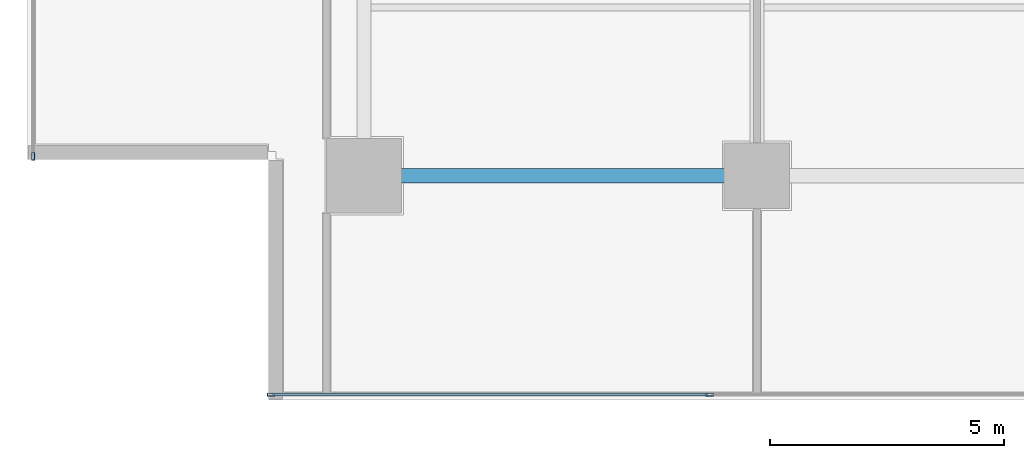
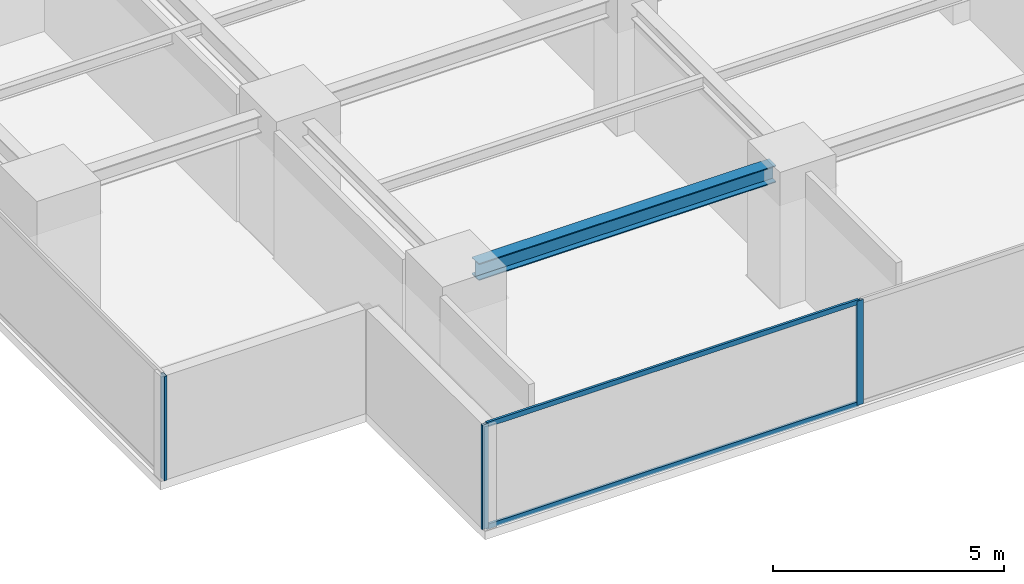
# One storey, part 2 of 28: 5 members, 1 beam, 2 elements without a shape of their own.
"""IFC4 building model written with IfcOpenShell, lengths in metres."""

from ifc_helpers import new_model, si_unit, direction, frame, origin, origin_2d, place, context, subcontext, project, spatial, hollow_rectangle, i_section, extrude, source, transform, mapped, material, layer, layer_set, material_profile, profile_set, type_object, element, aggregate, save


model = new_model("IFC4")

# Units and contexts
model_context = context("Model", 3, precision=1e-05, world=origin(), true_north=direction((0.0, 1.0)))
body_context = subcontext(model_context, "Body", "Model", "MODEL_VIEW")
ifc_project = project(units=[si_unit("LENGTHUNIT", "METRE"), si_unit("AREAUNIT", "SQUARE_METRE"), si_unit("VOLUMEUNIT", "CUBIC_METRE"), si_unit("PLANEANGLEUNIT", "RADIAN"), si_unit("MASSUNIT", "GRAM", prefix="KILO")], contexts=[model_context])

# Site, building, storey
site_placement = place(None, origin())
site = spatial("IfcSite", under=ifc_project, at=site_placement, CompositionType="ELEMENT")
building_placement = place(site_placement, origin())
building = spatial("IfcBuilding", under=site, at=building_placement, Name="Sumidabori Civic Tower", CompositionType="ELEMENT")
storey_placement = place(building_placement, frame((0.0, 0.0, 149.60009765625)))
storey = spatial("IfcBuildingStorey", under=building, at=storey_placement, Name="L38", CompositionType="ELEMENT", Elevation=149.60009765625)

# Beam
ifc_material_1 = material(Name="Steel SN490", Category="steel")
ifc_material_profile_1 = material_profile(ifc_material_1, i_section(OverallWidth=0.300048828125, OverallDepth=0.449951171875, WebThickness=0.013916015625, FlangeThickness=0.02587890625, at=origin_2d()), Name="HE 450 B")
ifc_profile_set_1 = profile_set([ifc_material_profile_1], Name="Steel SN490")
beam_type = type_object("IfcBeamType", Name="BM-GIRD-450", PredefinedType="BEAM", material=ifc_profile_set_1)
shared_shape_1 = source(origin(), body_context, "Body", "SweptSolid", [
    extrude(i_section(OverallWidth=0.300048828125, OverallDepth=0.449951171875, WebThickness=0.013916015625, FlangeThickness=0.02587890625, at=origin_2d()), origin(), (0.0, 0.0, 1.0), 7.440185546875),
])
beam_placement = place(storey_placement, frame((-16.320068359375, -18.0, 3.15478515625), z_axis=(1.0, 0.0, 0.0), x_axis=(0.0, 1.0, 0.0)))
element("IfcBeam", 1, at=beam_placement, inside=storey, type_object=beam_type, Name="Primary Girder L38 GX-01", PredefinedType="BEAM", context=body_context, shape_type="MappedRepresentation", body=[
    mapped(shared_shape_1, transform((0.0, 0.0, 0.0), x_axis=(1.0, 0.0, 0.0), y_axis=(0.0, 1.0, 0.0), z_axis=(0.0, 0.0, 1.0), scale=1.0)),
])

# Curtain wall, members
ifc_material_2 = material(Name="Anodised Bronze Aluminium AW-6063-T6", Category="aluminium")
ifc_layer = layer(ifc_material_2, 0.179931640625, Name="Anodised Bronze Aluminium AW-6063-T6")
ifc_layer_set = layer_set([ifc_layer], Name="Anodised Bronze Aluminium AW-6063-T6")
curtain_wall_type = type_object("IfcCurtainWallType", Name="CW-SYS-3", PredefinedType="NOTDEFINED", material=ifc_layer_set)
curtain_wall_1_placement = place(storey_placement, origin())
curtain_wall_1 = element("IfcCurtainWall", 2, at=curtain_wall_1_placement, inside=storey, type_object=curtain_wall_type, Name="Curtain Wall CW:L38:R01", PredefinedType="NOTDEFINED")
ifc_material_profile_2 = material_profile(ifc_material_2, hollow_rectangle(XDim=0.06494140625, YDim=0.159912109375, WallThickness=0.0048828125, at=origin_2d()), Name="ALU MULLION 160x65")
ifc_profile_set_2 = profile_set([ifc_material_profile_2], Name="Anodised Bronze Aluminium AW-6063-T6")
member_type_1 = type_object("IfcMemberType", Name="CW-MUL-160", PredefinedType="MULLION", material=ifc_profile_set_2)
shared_shape_2 = source(origin(), body_context, "Body", "SweptSolid", [
    extrude(hollow_rectangle(XDim=0.06494140625, YDim=0.159912109375, WallThickness=0.0048828125, at=origin_2d()), origin(), (0.0, 0.0, 1.0), 2.760009765625),
])
member_1_placement = place(storey_placement, frame((-18.78759765625, -22.679931640625, 0.0), z_axis=(0.0, 0.0, 1.0), x_axis=(0.0, 1.0, 0.0)))
member_1 = element("IfcMember", 3, at=member_1_placement, type_object=member_type_1, Name="CW-3 mullion 1", PredefinedType="MULLION", context=body_context, shape_type="MappedRepresentation", body=[
    mapped(shared_shape_2, transform((0.0, 0.0, 0.0), x_axis=(1.0, 0.0, 0.0), y_axis=(0.0, 1.0, 0.0), z_axis=(0.0, 0.0, 1.0), scale=1.0)),
])
member_2_placement = place(storey_placement, frame((-9.409912109375, -22.679931640625, 0.0), z_axis=(0.0, 0.0, 1.0), x_axis=(0.0, 1.0, 0.0)))
member_2 = element("IfcMember", 4, at=member_2_placement, type_object=member_type_1, Name="CW-3 mullion 2", PredefinedType="MULLION", context=body_context, shape_type="MappedRepresentation", body=[
    mapped(shared_shape_2, transform((0.0, 0.0, 0.0), x_axis=(1.0, 0.0, 0.0), y_axis=(0.0, 1.0, 0.0), z_axis=(0.0, 0.0, 1.0), scale=1.0)),
])

# Curtain wall, member
curtain_wall_2_placement = place(storey_placement, origin())
curtain_wall_2 = element("IfcCurtainWall", 5, at=curtain_wall_2_placement, inside=storey, type_object=curtain_wall_type, Name="Curtain Wall CW:L38:R10", PredefinedType="NOTDEFINED")
member_3_placement = place(storey_placement, frame((-23.8798828125, -17.58740234375, 0.0), z_axis=(0.0, 0.0, 1.0), x_axis=(1.0, 0.0, 0.0)))
member_3 = element("IfcMember", 6, at=member_3_placement, type_object=member_type_1, Name="CW-3 mullion 5", PredefinedType="MULLION", context=body_context, shape_type="MappedRepresentation", body=[
    mapped(shared_shape_2, transform((0.0, 0.0, 0.0), x_axis=(1.0, 0.0, 0.0), y_axis=(0.0, 1.0, 0.0), z_axis=(0.0, 0.0, 1.0), scale=1.0)),
])
aggregate(curtain_wall_2, [member_3])

# Member
ifc_material_profile_3 = material_profile(ifc_material_2, hollow_rectangle(XDim=0.06005859375, YDim=0.1298828125, WallThickness=0.0048828125, at=origin_2d()), Name="ALU TRANSOM 130x60")
ifc_profile_set_3 = profile_set([ifc_material_profile_3], Name="Anodised Bronze Aluminium AW-6063-T6")
member_type_2 = type_object("IfcMemberType", Name="CW-TRN-130", PredefinedType="USERDEFINED", material=ifc_profile_set_3)
shared_shape_3 = source(origin(), body_context, "Body", "SweptSolid", [
    extrude(hollow_rectangle(XDim=0.06005859375, YDim=0.1298828125, WallThickness=0.0048828125, at=origin_2d()), origin(), (0.0, 0.0, 1.0), 9.3125),
])
member_4_placement = place(storey_placement, frame((-18.7548828125, -22.679931640625, 0.02978515625), z_axis=(1.0, 0.0, 0.0), x_axis=(0.0, 1.0, 0.0)))
member_4 = element("IfcMember", 7, at=member_4_placement, type_object=member_type_2, Name="CW-3 transom 1.1", ObjectType="TRANSOM", PredefinedType="USERDEFINED", context=body_context, shape_type="MappedRepresentation", body=[
    mapped(shared_shape_3, transform((0.0, 0.0, 0.0), x_axis=(1.0, 0.0, 0.0), y_axis=(0.0, 1.0, 0.0), z_axis=(0.0, 0.0, 1.0), scale=1.0)),
])

member_5_placement = place(storey_placement, frame((-18.7548828125, -22.679931640625, 2.72998046875), z_axis=(1.0, 0.0, 0.0), x_axis=(0.0, 1.0, 0.0)))
member_5 = element("IfcMember", 8, at=member_5_placement, type_object=member_type_2, Name="CW-3 transom 1.2", ObjectType="TRANSOM", PredefinedType="USERDEFINED", context=body_context, shape_type="MappedRepresentation", body=[
    mapped(shared_shape_3, transform((0.0, 0.0, 0.0), x_axis=(1.0, 0.0, 0.0), y_axis=(0.0, 1.0, 0.0), z_axis=(0.0, 0.0, 1.0), scale=1.0)),
])

aggregate(curtain_wall_1, [member_1, member_2, member_4, member_5])

save(model, "model.ifc")
